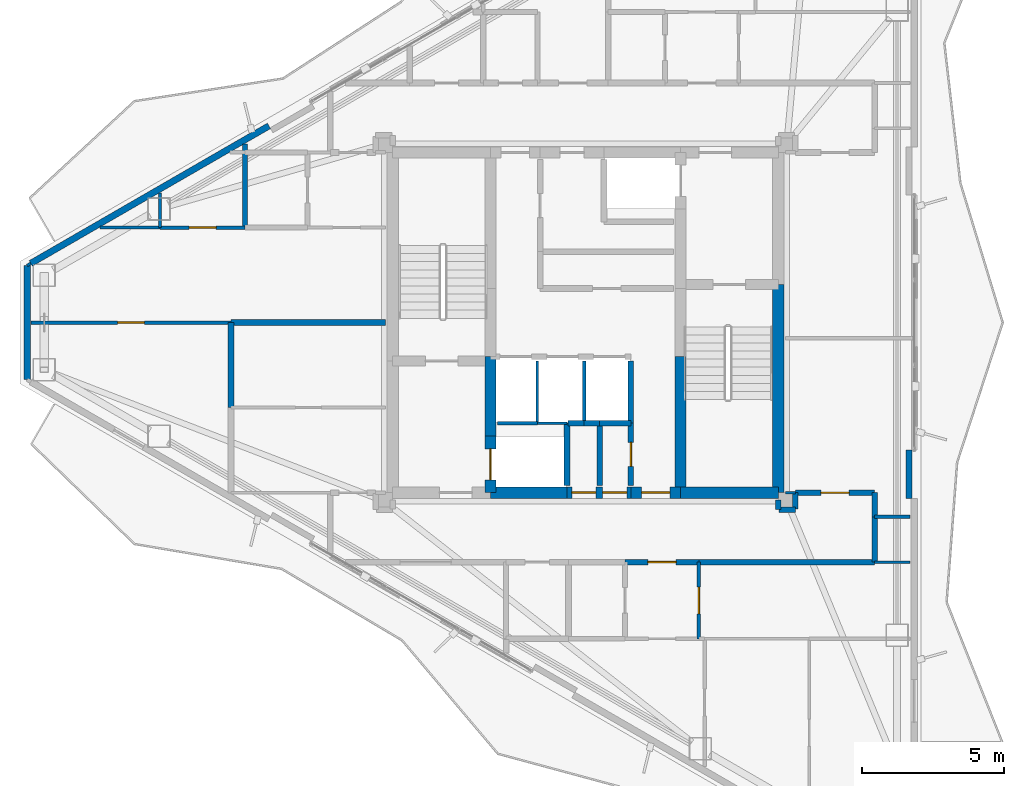
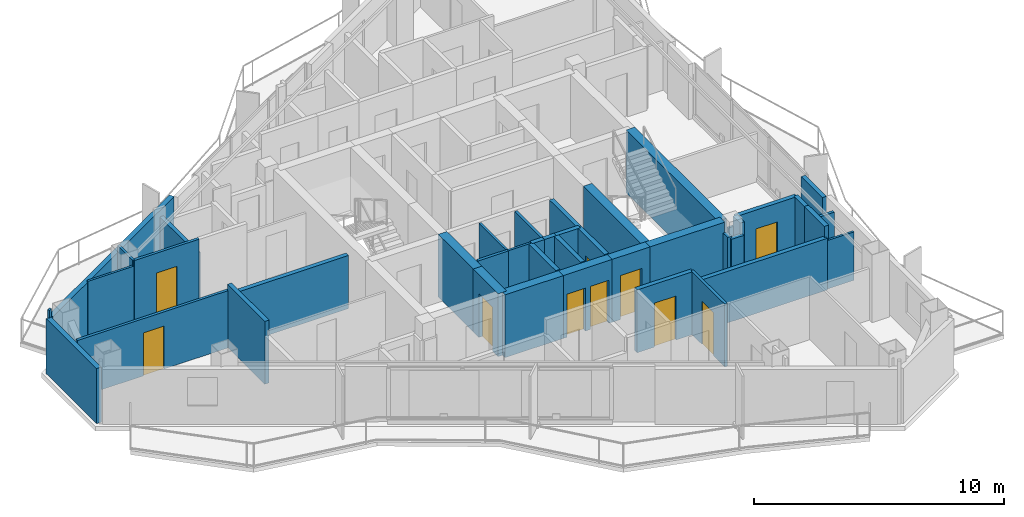
# One storey, part 17 of 22: 42 walls, 10 doors, 10 openings.
"""IFC4 building model written with IfcOpenShell, lengths in metres."""

from ifc_helpers import new_model, si_unit, direction, frame, frame_2d, origin, place, context, subcontext, project, spatial, rectangle, extrude, material, layer, layer_set, type_object, element, fill, save


model = new_model("IFC4")

# Units and contexts
model_context = context("Model", 3, precision=1e-05, world=origin(), true_north=direction((0.0, 1.0)))
body_context = subcontext(model_context, "Body", "Model", "MODEL_VIEW")
ifc_project = project(units=[si_unit("LENGTHUNIT", "METRE"), si_unit("AREAUNIT", "SQUARE_METRE"), si_unit("VOLUMEUNIT", "CUBIC_METRE"), si_unit("PLANEANGLEUNIT", "RADIAN"), si_unit("MASSUNIT", "GRAM", prefix="KILO")], contexts=[model_context])

# Site, building, storey
site_placement = place(None, origin())
site = spatial("IfcSite", under=ifc_project, at=site_placement, CompositionType="ELEMENT")
building_placement = place(site_placement, origin())
building = spatial("IfcBuilding", under=site, at=building_placement, Name="Mersakhor Tower and Convention Hall", CompositionType="ELEMENT")
storey_placement = place(building_placement, frame((0.0, 0.0, 201.89990234375)))
storey = spatial("IfcBuildingStorey", under=building, at=storey_placement, Name="L56", CompositionType="ELEMENT", Elevation=201.89990234375)

# Walls
ifc_material_1 = material(Name="Precast concrete C40/50", Category="concrete")
ifc_layer_1 = layer(ifc_material_1, 0.22509765625)
ifc_layer_set_1 = layer_set([ifc_layer_1], Name="Precast concrete C40/50")
wall_type_1 = type_object("IfcWallType", Name="WL-EXT-225", PredefinedType="SOLIDWALL", material=ifc_layer_set_1)
wall_1_placement = place(storey_placement, frame((9.3076171875, 24.73828125, 0.0), z_axis=(0.0, 0.0, 1.0), x_axis=(0.0, 1.0, 0.0)))
element("IfcWall", 1, at=wall_1_placement, inside=storey, type_object=wall_type_1, Name="L56 Chamfer Braced Spandrel Wall C3", PredefinedType="SOLIDWALL", context=body_context, shape_type="SweptSolid", body=[
    extrude(rectangle(XDim=4.0234375, YDim=0.22509765625, at=frame_2d((2.01171875, 0.0))), origin(), (0.0, 0.0, 1.0), 2.690185546875),
])
wall_2_placement = place(storey_placement, frame((9.4375, 28.836669921875, 0.0), z_axis=(0.0, 0.0, 1.0), x_axis=(0.866027133173, 0.499997004599, 0.0)))
element("IfcWall", 2, at=wall_2_placement, inside=storey, type_object=wall_type_1, Name="L56 Exterior Facade Wall F1-B1", PredefinedType="SOLIDWALL", context=body_context, shape_type="SweptSolid", body=[
    extrude(rectangle(XDim=9.69873046875, YDim=0.22509765625, at=frame_2d((4.849365234375, 0.0))), origin(), (0.0, 0.0, 1.0), 2.690185546875),
])
ifc_material_2 = material(Name="Precast concrete C40/50", Category="concrete")
ifc_layer_2 = layer(ifc_material_2, 0.199951171875)
ifc_layer_set_2 = layer_set([ifc_layer_2], Name="Precast concrete C40/50")
wall_type_2 = type_object("IfcWallType", Name="WL-PAR-200", PredefinedType="PARAPET", material=ifc_layer_set_2)
wall_3_placement = place(storey_placement, frame((40.408447265625, 22.25048828125, 0.0), z_axis=(0.0, 0.0, 1.0), x_axis=(0.0, -1.0, 0.0)))
element("IfcWall", 3, at=wall_3_placement, inside=storey, type_object=wall_type_2, Name="L56 Column Pier Cladding Wall F2-C2", PredefinedType="PARAPET", context=body_context, shape_type="SweptSolid", body=[
    extrude(rectangle(XDim=1.699951171875, YDim=0.199951171875, at=frame_2d((0.85009765625, 0.0))), origin(), (0.0, 0.0, 1.0), 2.690185546875),
])
ifc_material_3 = material(Name="Moisture-resistant acoustic drywall studwork", Category="other")
ifc_layer_3 = layer(ifc_material_3, 0.175048828125)
ifc_layer_set_3 = layer_set([ifc_layer_3], Name="Moisture-resistant acoustic drywall studwork")
wall_type_3 = type_object("IfcWallType", Name="WL-PLM-175", PredefinedType="PLUMBINGWALL", material=ifc_layer_set_3)
wall_4_placement = place(storey_placement, frame((17.0, 30.10009765625, 0.0), z_axis=(0.0, 0.0, 1.0), x_axis=(0.0, 1.0, 0.0)))
element("IfcWall", 4, at=wall_4_placement, inside=storey, type_object=wall_type_3, Name="L56 Interior Partition Wall P-078", PredefinedType="PLUMBINGWALL", context=body_context, shape_type="SweptSolid", body=[
    extrude(rectangle(XDim=2.9453125, YDim=0.175048828125, at=frame_2d((1.47265625, 0.0))), origin(), (0.0, 0.0, 1.0), 2.364990234375),
])
ifc_material_4 = material(Name="Lightweight gypsum partition", Category="other")
ifc_layer_4 = layer(ifc_material_4, 0.10009765625)
ifc_layer_set_4 = layer_set([ifc_layer_4], Name="Lightweight gypsum partition")
wall_type_4 = type_object("IfcWallType", Name="WL-PRT-100", PredefinedType="PARTITIONING", material=ifc_layer_set_4)
wall_5_placement = place(storey_placement, frame((27.300048828125, 23.199951171875, 0.0), z_axis=(0.0, 0.0, 1.0), x_axis=(1.0, 0.0, 0.0)))
element("IfcWall", 5, at=wall_5_placement, inside=storey, type_object=wall_type_4, Name="L56 Interior Partition Wall P-002", PredefinedType="PARTITIONING", context=body_context, shape_type="SweptSolid", body=[
    extrude(rectangle(XDim=1.050048828125, YDim=0.10009765625, at=frame_2d((0.52490234375, 0.0))), origin(), (0.0, 0.0, 1.0), 3.070068359375),
])
wall_6_placement = place(storey_placement, frame((27.300048828125, 25.39990234375, 0.0), z_axis=(0.0, 0.0, 1.0), x_axis=(0.0, -1.0, 0.0)))
element("IfcWall", 6, at=wall_6_placement, inside=storey, type_object=wall_type_4, Name="L56 Interior Partition Wall P-006", PredefinedType="PARTITIONING", context=body_context, shape_type="SweptSolid", body=[
    extrude(rectangle(XDim=2.199951171875, YDim=0.10009765625, at=frame_2d((1.10009765625, 0.0))), origin(), (0.0, 0.0, 1.0), 3.070068359375),
])
wall_7_placement = place(storey_placement, frame((39.199951171875, 18.300048828125, 0.0), z_axis=(0.0, 0.0, 1.0), x_axis=(1.0, 0.0, 0.0)))
element("IfcWall", 7, at=wall_7_placement, inside=storey, type_object=wall_type_4, Name="L56 Interior Partition Wall P-072", PredefinedType="PARTITIONING", context=body_context, shape_type="SweptSolid", body=[
    extrude(rectangle(XDim=1.251953125, YDim=0.10009765625, at=frame_2d((0.6259765625, 0.0))), origin(), (0.0, 0.0, 1.0), 2.364990234375),
])
wall_8_placement = place(storey_placement, frame((14.0, 30.10009765625, 0.0), z_axis=(0.0, 0.0, 1.0), x_axis=(0.0, 1.0, 0.0)))
element("IfcWall", 8, at=wall_8_placement, inside=storey, type_object=wall_type_4, Name="L56 Interior Partition Wall P-080", PredefinedType="PARTITIONING", context=body_context, shape_type="SweptSolid", body=[
    extrude(rectangle(XDim=1.213134765625, YDim=0.10009765625, at=frame_2d((0.6064453125, 0.0))), origin(), (0.0, 0.0, 1.0), 3.070068359375),
])
wall_9_placement = place(storey_placement, frame((36.39990234375, 20.75, 0.0), z_axis=(0.0, 0.0, 1.0), x_axis=(-1.0, 0.0, 0.0)))
element("IfcWall", 9, at=wall_9_placement, inside=storey, type_object=wall_type_4, Name="L56 Interior Partition Wall P-094", PredefinedType="PARTITIONING", context=body_context, shape_type="SweptSolid", body=[
    extrude(rectangle(XDim=0.349853515625, YDim=0.10009765625, at=frame_2d((0.1748046875, 0.0))), origin(), (0.0, 0.0, 1.0), 2.59521484375),
])
wall_10_placement = place(storey_placement, frame((11.873779296875, 30.10009765625, 0.0), z_axis=(0.0, 0.0, 1.0), x_axis=(1.0, 0.0, 0.0)))
element("IfcWall", 10, at=wall_10_placement, inside=storey, type_object=wall_type_4, Name="L56 Interior Partition Wall P-104", PredefinedType="PARTITIONING", context=body_context, shape_type="SweptSolid", body=[
    extrude(rectangle(XDim=2.126220703125, YDim=0.10009765625, at=frame_2d((1.06298828125, 0.0))), origin(), (0.0, 0.0, 1.0), 2.794677734375),
])
wall_11_placement = place(storey_placement, frame((9.306884765625, 28.761962890625, 0.0), z_axis=(0.0, 0.0, 1.0), x_axis=(0.866239593359, 0.499628829129, 0.0)))
element("IfcWall", 11, at=wall_11_placement, inside=storey, type_object=wall_type_4, Name="L56 Interior Partition Wall P-106", PredefinedType="PARTITIONING", context=body_context, shape_type="SweptSolid", body=[
    extrude(rectangle(XDim=0.150390625, YDim=0.10009765625, at=frame_2d((0.0751953125, 0.0))), origin(), (0.0, 0.0, 1.0), 3.070068359375),
])
ifc_material_5 = material(Name="Gypsum board acoustic partition", Category="other")
ifc_layer_5 = layer(ifc_material_5, 0.125)
ifc_layer_set_5 = layer_set([ifc_layer_5], Name="Gypsum board acoustic partition")
wall_type_5 = type_object("IfcWallType", Name="WL-PRT-125", PredefinedType="PARTITIONING", material=ifc_layer_set_5)
wall_12_placement = place(storey_placement, frame((25.89990234375, 23.199951171875, 0.0), z_axis=(0.0, 0.0, 1.0), x_axis=(1.0, 0.0, 0.0)))
element("IfcWall", 12, at=wall_12_placement, inside=storey, type_object=wall_type_5, Name="L56 Interior Partition Wall P-001", PredefinedType="PARTITIONING", context=body_context, shape_type="SweptSolid", body=[
    extrude(rectangle(XDim=1.400146484375, YDim=0.125, at=frame_2d((0.7001953125, 0.0))), origin(), (0.0, 0.0, 1.0), 3.070068359375),
])
wall_13_placement = place(storey_placement, frame((28.949951171875, 25.39990234375, 0.0), z_axis=(0.0, 0.0, 1.0), x_axis=(0.0, -1.0, 0.0)))
element("IfcWall", 13, at=wall_13_placement, inside=storey, type_object=wall_type_5, Name="L56 Interior Partition Wall P-007", PredefinedType="PARTITIONING", context=body_context, shape_type="SweptSolid", body=[
    extrude(rectangle(XDim=2.199951171875, YDim=0.125, at=frame_2d((1.10009765625, 0.0))), origin(), (0.0, 0.0, 1.0), 3.070068359375),
])

# Wall, opening, door
wall_14_placement = place(storey_placement, frame((33.0, 18.300048828125, 0.0), z_axis=(0.0, 0.0, 1.0), x_axis=(0.0, -1.0, 0.0)))
wall_14 = element("IfcWall", 14, at=wall_14_placement, inside=storey, type_object=wall_type_5, Name="L56 Interior Partition Wall P-055", PredefinedType="PARTITIONING", context=body_context, shape_type="SweptSolid", body=[
    extrude(rectangle(XDim=2.699951171875, YDim=0.125, at=frame_2d((1.35009765625, 0.0))), origin(), (0.0, 0.0, 1.0), 3.070068359375),
])
opening_1_placement = place(wall_14_placement, frame((0.875, 0.0, 0.0)))
opening_1 = element("IfcOpeningElement", 15, at=opening_1_placement, cuts=wall_14, Name="Opening RD-01", PredefinedType="OPENING", context=body_context, shape_type="SweptSolid", body=[
    extrude(rectangle(XDim=0.949951171875, YDim=2.10009765625, at=frame_2d((0.47509765625, 1.050048828125))), frame((0.0, 0.072509765625, 0.0), z_axis=(0.0, -1.0, 0.0), x_axis=(1.0, 0.0, 0.0)), (0.0, 0.0, 1.0), 0.14501953125),
])
ifc_material_6 = material(Name="Solid-core hardwood leaf in painted steel frame", Category="steel")
door_type_1 = type_object("IfcDoorType", Name="DR-INT-RM-095x210", OperationType="NOTDEFINED", PredefinedType="DOOR", material=ifc_material_6)
door_1_placement = place(opening_1_placement, origin())
door_1 = element("IfcDoor", 16, at=door_1_placement, inside=storey, type_object=door_type_1, Name="L56 L56 Flat S3 Apartment Hall to L56 Flat S3 Kitchen Door", OperationType="SINGLE_SWING_RIGHT", OverallHeight=2.10009765625, OverallWidth=0.949951171875, PredefinedType="DOOR", context=body_context, shape_type="SweptSolid", body=[
    extrude(rectangle(XDim=0.949951171875, YDim=2.10009765625, at=frame_2d((0.47509765625, 1.050048828125))), frame((0.0, 0.02490234375, 0.0), z_axis=(0.0, -1.0, 0.0), x_axis=(1.0, 0.0, 0.0)), (0.0, 0.0, 1.0), 0.050048828125),
])
fill(opening_1, door_1)

wall_15_placement = place(storey_placement, frame((17.0, 30.10009765625, 0.0), z_axis=(0.0, 0.0, 1.0), x_axis=(-1.0, 0.0, 0.0)))
wall_15 = element("IfcWall", 17, at=wall_15_placement, inside=storey, type_object=wall_type_5, Name="L56 Interior Partition Wall P-079", PredefinedType="PARTITIONING", context=body_context, shape_type="SweptSolid", body=[
    extrude(rectangle(XDim=3.0, YDim=0.125, at=frame_2d((1.5, 0.0))), origin(), (0.0, 0.0, 1.0), 3.070068359375),
])
opening_2_placement = place(wall_15_placement, frame((1.02490234375, 0.0, 0.0)))
opening_2 = element("IfcOpeningElement", 18, at=opening_2_placement, cuts=wall_15, Name="Opening RD-01", PredefinedType="OPENING", context=body_context, shape_type="SweptSolid", body=[
    extrude(rectangle(XDim=0.949951171875, YDim=2.10009765625, at=frame_2d((0.47509765625, 1.050048828125))), frame((0.0, 0.072509765625, 0.0), z_axis=(0.0, -1.0, 0.0), x_axis=(1.0, 0.0, 0.0)), (0.0, 0.0, 1.0), 0.14501953125),
])
door_2_placement = place(opening_2_placement, origin())
door_2 = element("IfcDoor", 19, at=door_2_placement, inside=storey, type_object=door_type_1, Name="L56 L56 Flat W4 Kitchen to L56 Flat W4 Living and Dining Room Door", OperationType="SINGLE_SWING_RIGHT", OverallHeight=2.10009765625, OverallWidth=0.949951171875, PredefinedType="DOOR", context=body_context, shape_type="SweptSolid", body=[
    extrude(rectangle(XDim=0.949951171875, YDim=2.10009765625, at=frame_2d((0.47509765625, 1.050048828125))), frame((0.0, 0.02490234375, 0.0), z_axis=(0.0, -1.0, 0.0), x_axis=(1.0, 0.0, 0.0)), (0.0, 0.0, 1.0), 0.050048828125),
])
fill(opening_2, door_2)

# Wall
wall_16_placement = place(storey_placement, frame((40.451904296875, 19.89990234375, 0.0), z_axis=(0.0, 0.0, 1.0), x_axis=(-1.0, 0.0, 0.0)))
element("IfcWall", 20, at=wall_16_placement, inside=storey, type_object=wall_type_5, Name="L56 Interior Partition Wall P-095", PredefinedType="PARTITIONING", context=body_context, shape_type="SweptSolid", body=[
    extrude(rectangle(XDim=1.251953125, YDim=0.125, at=frame_2d((0.6259765625, 0.0))), origin(), (0.0, 0.0, 1.0), 2.364990234375),
])

# Wall, opening, door
wall_17_placement = place(storey_placement, frame((16.5, 26.75, 0.0), z_axis=(0.0, 0.0, 1.0), x_axis=(-1.0, 0.0, 0.0)))
wall_17 = element("IfcWall", 21, at=wall_17_placement, inside=storey, type_object=wall_type_5, Name="L56 Interior Partition Wall P-105", PredefinedType="PARTITIONING", context=body_context, shape_type="SweptSolid", body=[
    extrude(rectangle(XDim=7.055908203125, YDim=0.125, at=frame_2d((3.52783203125, 0.0))), origin(), (0.0, 0.0, 1.0), 2.794677734375),
])
opening_3_placement = place(wall_17_placement, frame((3.052978515625, 0.0, 0.0)))
opening_3 = element("IfcOpeningElement", 22, at=opening_3_placement, cuts=wall_17, Name="Opening RD-01", PredefinedType="OPENING", context=body_context, shape_type="SweptSolid", body=[
    extrude(rectangle(XDim=0.949951171875, YDim=2.10009765625, at=frame_2d((0.47509765625, 1.050048828125))), frame((0.0, 0.072509765625, 0.0), z_axis=(0.0, -1.0, 0.0), x_axis=(1.0, 0.0, 0.0)), (0.0, 0.0, 1.0), 0.14501953125),
])
door_3_placement = place(opening_3_placement, origin())
door_3 = element("IfcDoor", 23, at=door_3_placement, inside=storey, type_object=door_type_1, Name="L56 L56 Flat W4 Living and Dining Room to L56 Flat W4 Master Bedroom Door", OperationType="SINGLE_SWING_RIGHT", OverallHeight=2.10009765625, OverallWidth=0.949951171875, PredefinedType="DOOR", context=body_context, shape_type="SweptSolid", body=[
    extrude(rectangle(XDim=0.949951171875, YDim=2.10009765625, at=frame_2d((0.47509765625, 1.050048828125))), frame((0.0, 0.02490234375, 0.0), z_axis=(0.0, -1.0, 0.0), x_axis=(1.0, 0.0, 0.0)), (0.0, 0.0, 1.0), 0.050048828125),
])
fill(opening_3, door_3)

# Walls
ifc_material_7 = material(Name="Acoustic concrete blockwork and gypsum board", Category="masonry")
ifc_layer_6 = layer(ifc_material_7, 0.199951171875)
ifc_layer_set_6 = layer_set([ifc_layer_6], Name="Acoustic concrete blockwork and gypsum board")
wall_type_6 = type_object("IfcWallType", Name="WL-PRT-200", PredefinedType="PARTITIONING", material=ifc_layer_set_6)
wall_18_placement = place(storey_placement, frame((28.35009765625, 23.199951171875, 0.0), z_axis=(0.0, 0.0, 1.0), x_axis=(0.0, -1.0, 0.0)))
element("IfcWall", 24, at=wall_18_placement, inside=storey, type_object=wall_type_6, Name="L56 Interior Partition Wall P-003", PredefinedType="PARTITIONING", context=body_context, shape_type="SweptSolid", body=[
    extrude(rectangle(XDim=2.199951171875, YDim=0.199951171875, at=frame_2d((1.10009765625, 0.0))), origin(), (0.0, 0.0, 1.0), 3.070068359375),
])
wall_19_placement = place(storey_placement, frame((28.949951171875, 23.199951171875, 0.0), z_axis=(0.0, 0.0, 1.0), x_axis=(-1.0, 0.0, 0.0)))
element("IfcWall", 25, at=wall_19_placement, inside=storey, type_object=wall_type_6, Name="L56 Interior Partition Wall P-008", PredefinedType="PARTITIONING", context=body_context, shape_type="SweptSolid", body=[
    extrude(rectangle(XDim=0.570068359375, YDim=0.199951171875, at=frame_2d((0.28515625, 0.0))), origin(), (0.0, 0.0, 1.0), 3.070068359375),
])
wall_20_placement = place(storey_placement, frame((30.60009765625, 25.39990234375, 0.0), z_axis=(0.0, 0.0, 1.0), x_axis=(0.0, -1.0, 0.0)))
element("IfcWall", 26, at=wall_20_placement, inside=storey, type_object=wall_type_6, Name="L56 Interior Partition Wall P-009", PredefinedType="PARTITIONING", context=body_context, shape_type="SweptSolid", body=[
    extrude(rectangle(XDim=2.199951171875, YDim=0.199951171875, at=frame_2d((1.10009765625, 0.0))), origin(), (0.0, 0.0, 1.0), 3.070068359375),
])
wall_21_placement = place(storey_placement, frame((30.60009765625, 23.199951171875, 0.0), z_axis=(0.0, 0.0, 1.0), x_axis=(-1.0, 0.0, 0.0)))
element("IfcWall", 27, at=wall_21_placement, inside=storey, type_object=wall_type_6, Name="L56 Interior Partition Wall P-010", PredefinedType="PARTITIONING", context=body_context, shape_type="SweptSolid", body=[
    extrude(rectangle(XDim=1.10009765625, YDim=0.199951171875, at=frame_2d((0.550048828125, 0.0))), origin(), (0.0, 0.0, 1.0), 3.070068359375),
])
wall_22_placement = place(storey_placement, frame((29.5, 23.199951171875, 0.0), z_axis=(0.0, 0.0, 1.0), x_axis=(-1.0, 0.0, 0.0)))
element("IfcWall", 28, at=wall_22_placement, inside=storey, type_object=wall_type_6, Name="L56 Interior Partition Wall P-011", PredefinedType="PARTITIONING", context=body_context, shape_type="SweptSolid", body=[
    extrude(rectangle(XDim=0.550048828125, YDim=0.199951171875, at=frame_2d((0.27490234375, 0.0))), origin(), (0.0, 0.0, 1.0), 3.070068359375),
])

# Wall, opening, door
wall_23_placement = place(storey_placement, frame((30.60009765625, 21.0, 0.0), z_axis=(0.0, 0.0, 1.0), x_axis=(0.0, 1.0, 0.0)))
wall_23 = element("IfcWall", 29, at=wall_23_placement, inside=storey, type_object=wall_type_6, Name="L56 Interior Partition Wall P-012", PredefinedType="PARTITIONING", context=body_context, shape_type="SweptSolid", body=[
    extrude(rectangle(XDim=2.199951171875, YDim=0.199951171875, at=frame_2d((1.10009765625, 0.0))), origin(), (0.0, 0.0, 1.0), 3.070068359375),
])
opening_4_placement = place(wall_23_placement, frame((0.675048828125, 0.0, 0.0)))
opening_4 = element("IfcOpeningElement", 30, at=opening_4_placement, cuts=wall_23, Name="Opening SVD-01", PredefinedType="OPENING", context=body_context, shape_type="SweptSolid", body=[
    extrude(rectangle(XDim=0.85009765625, YDim=2.10009765625, at=frame_2d((0.425048828125, 1.050048828125))), frame((0.0, 0.10986328125, 0.0), z_axis=(0.0, -1.0, 0.0), x_axis=(1.0, 0.0, 0.0)), (0.0, 0.0, 1.0), 0.219970703125),
])
ifc_material_8 = material(Name="Fire-rated hardwood leaf and painted steel frame", Category="steel")
door_type_2 = type_object("IfcDoorType", Name="DR-INT-SVC-085x210", OperationType="NOTDEFINED", PredefinedType="DOOR", material=ifc_material_8)
door_4_placement = place(opening_4_placement, origin())
door_4 = element("IfcDoor", 31, at=door_4_placement, inside=storey, type_object=door_type_2, Name="L56 Central Passenger Lift Lobby to Cleaner Store Room Door", OperationType="SINGLE_SWING_LEFT", OverallHeight=2.10009765625, OverallWidth=0.85009765625, PredefinedType="DOOR", context=body_context, shape_type="SweptSolid", body=[
    extrude(rectangle(XDim=0.85009765625, YDim=2.10009765625, at=frame_2d((0.425048828125, 1.050048828125))), frame((0.0, 0.02490234375, 0.0), z_axis=(0.0, -1.0, 0.0), x_axis=(1.0, 0.0, 0.0)), (0.0, 0.0, 1.0), 0.050048828125),
])
fill(opening_4, door_4)

# Walls
wall_24_placement = place(storey_placement, frame((35.800048828125, 20.5, 0.0), z_axis=(0.0, 0.0, 1.0), x_axis=(0.0, -1.0, 0.0)))
element("IfcWall", 32, at=wall_24_placement, inside=storey, type_object=wall_type_6, Name="L56 Interior Partition Wall P-038", PredefinedType="PARTITIONING", context=body_context, shape_type="SweptSolid", body=[
    extrude(rectangle(XDim=0.35009765625, YDim=0.199951171875, at=frame_2d((0.175048828125, 0.0))), origin(), (0.0, 0.0, 1.0), 2.59521484375),
])
wall_25_placement = place(storey_placement, frame((35.830078125, 20.14990234375, 0.0), z_axis=(0.0, 0.0, 1.0), x_axis=(1.0, 0.0, 0.0)))
element("IfcWall", 33, at=wall_25_placement, inside=storey, type_object=wall_type_6, Name="L56 Interior Partition Wall P-039", PredefinedType="PARTITIONING", context=body_context, shape_type="SweptSolid", body=[
    extrude(rectangle(XDim=0.56982421875, YDim=0.199951171875, at=frame_2d((0.284912109375, 0.0))), origin(), (0.0, 0.0, 1.0), 2.518310546875),
])
wall_26_placement = place(storey_placement, frame((36.39990234375, 20.179931640625, 0.0), z_axis=(0.0, 0.0, 1.0), x_axis=(0.0, 1.0, 0.0)))
element("IfcWall", 34, at=wall_26_placement, inside=storey, type_object=wall_type_6, Name="L56 Interior Partition Wall P-040", PredefinedType="PARTITIONING", context=body_context, shape_type="SweptSolid", body=[
    extrude(rectangle(XDim=0.570068359375, YDim=0.199951171875, at=frame_2d((0.28515625, 0.0))), origin(), (0.0, 0.0, 1.0), 3.070068359375),
])

# Wall, opening, door
wall_27_placement = place(storey_placement, frame((36.39990234375, 20.75, 0.0), z_axis=(0.0, 0.0, 1.0), x_axis=(1.0, 0.0, 0.0)))
wall_27 = element("IfcWall", 35, at=wall_27_placement, inside=storey, type_object=wall_type_6, Name="L56 Interior Partition Wall P-041", PredefinedType="PARTITIONING", context=body_context, shape_type="SweptSolid", body=[
    extrude(rectangle(XDim=2.800048828125, YDim=0.199951171875, at=frame_2d((1.39990234375, 0.0))), origin(), (0.0, 0.0, 1.0), 3.070068359375),
])
opening_5_placement = place(wall_27_placement, frame((0.89990234375, 0.0, 0.0)))
opening_5 = element("IfcOpeningElement", 36, at=opening_5_placement, cuts=wall_27, Name="Opening FD-01", PredefinedType="OPENING", context=body_context, shape_type="SweptSolid", body=[
    extrude(rectangle(XDim=1.0, YDim=2.14990234375, at=frame_2d((0.5, 1.074951171875))), frame((0.0, 0.10986328125, 0.0), z_axis=(0.0, -1.0, 0.0), x_axis=(1.0, 0.0, 0.0)), (0.0, 0.0, 1.0), 0.219970703125),
])
ifc_material_9 = material(Name="Fire-rated hardwood leaf and painted steel frame", Category="steel")
door_type_3 = type_object("IfcDoorType", Name="DR-INT-FLT-100x215", OperationType="NOTDEFINED", PredefinedType="DOOR", material=ifc_material_9)
door_5_placement = place(opening_5_placement, origin())
door_5 = element("IfcDoor", 37, at=door_5_placement, inside=storey, type_object=door_type_3, Name="L56 Residential South Gallery Corridor to L56 East Wing Residents Reading Lounge Door", OperationType="SINGLE_SWING_LEFT", OverallHeight=2.14990234375, OverallWidth=1.0, PredefinedType="DOOR", context=body_context, shape_type="SweptSolid", body=[
    extrude(rectangle(XDim=1.0, YDim=2.14990234375, at=frame_2d((0.5, 1.074951171875))), frame((0.0, 0.02490234375, 0.0), z_axis=(0.0, -1.0, 0.0), x_axis=(1.0, 0.0, 0.0)), (0.0, 0.0, 1.0), 0.050048828125),
])
fill(opening_5, door_5)

# Walls
wall_28_placement = place(storey_placement, frame((39.199951171875, 20.75, 0.0), z_axis=(0.0, 0.0, 1.0), x_axis=(0.0, -1.0, 0.0)))
element("IfcWall", 38, at=wall_28_placement, inside=storey, type_object=wall_type_6, Name="L56 Interior Partition Wall P-042", PredefinedType="PARTITIONING", context=body_context, shape_type="SweptSolid", body=[
    extrude(rectangle(XDim=0.85009765625, YDim=0.199951171875, at=frame_2d((0.425048828125, 0.0))), origin(), (0.0, 0.0, 1.0), 3.070068359375),
])
wall_29_placement = place(storey_placement, frame((39.199951171875, 19.89990234375, 0.0), z_axis=(0.0, 0.0, 1.0), x_axis=(0.0, -1.0, 0.0)))
element("IfcWall", 39, at=wall_29_placement, inside=storey, type_object=wall_type_6, Name="L56 Interior Partition Wall P-043", PredefinedType="PARTITIONING", context=body_context, shape_type="SweptSolid", body=[
    extrude(rectangle(XDim=1.599853515625, YDim=0.199951171875, at=frame_2d((0.7998046875, 0.0))), origin(), (0.0, 0.0, 1.0), 3.070068359375),
])
wall_30_placement = place(storey_placement, frame((39.199951171875, 18.300048828125, 0.0), z_axis=(0.0, 0.0, 1.0), x_axis=(-1.0, 0.0, 0.0)))
element("IfcWall", 40, at=wall_30_placement, inside=storey, type_object=wall_type_6, Name="L56 Interior Partition Wall P-044", PredefinedType="PARTITIONING", context=body_context, shape_type="SweptSolid", body=[
    extrude(rectangle(XDim=6.199951171875, YDim=0.199951171875, at=frame_2d((3.10009765625, 0.0))), origin(), (0.0, 0.0, 1.0), 2.518310546875),
])

# Wall, opening, door
wall_31_placement = place(storey_placement, frame((33.0, 18.300048828125, 0.0), z_axis=(0.0, 0.0, 1.0), x_axis=(-1.0, 0.0, 0.0)))
wall_31 = element("IfcWall", 41, at=wall_31_placement, inside=storey, type_object=wall_type_6, Name="L56 Interior Partition Wall P-045", PredefinedType="PARTITIONING", context=body_context, shape_type="SweptSolid", body=[
    extrude(rectangle(XDim=2.60009765625, YDim=0.199951171875, at=frame_2d((1.300048828125, 0.0))), origin(), (0.0, 0.0, 1.0), 3.070068359375),
])
opening_6_placement = place(wall_31_placement, frame((0.800048828125, 0.0, 0.0)))
opening_6 = element("IfcOpeningElement", 42, at=opening_6_placement, cuts=wall_31, Name="Opening FD-01", PredefinedType="OPENING", context=body_context, shape_type="SweptSolid", body=[
    extrude(rectangle(XDim=1.0, YDim=2.14990234375, at=frame_2d((0.5, 1.074951171875))), frame((0.0, 0.10986328125, 0.0), z_axis=(0.0, -1.0, 0.0), x_axis=(1.0, 0.0, 0.0)), (0.0, 0.0, 1.0), 0.219970703125),
])
door_6_placement = place(opening_6_placement, origin())
door_6 = element("IfcDoor", 43, at=door_6_placement, inside=storey, type_object=door_type_3, Name="L56 Apartment Entrance Door (Residential South Gallery Corridor to L56 Flat S3 Apartment Hall)", OperationType="SINGLE_SWING_LEFT", OverallHeight=2.14990234375, OverallWidth=1.0, PredefinedType="DOOR", context=body_context, shape_type="SweptSolid", body=[
    extrude(rectangle(XDim=1.0, YDim=2.14990234375, at=frame_2d((0.5, 1.074951171875))), frame((0.0, 0.02490234375, 0.0), z_axis=(0.0, -1.0, 0.0), x_axis=(1.0, 0.0, 0.0)), (0.0, 0.0, 1.0), 0.050048828125),
])
fill(opening_6, door_6)

# Walls
wall_32_placement = place(storey_placement, frame((29.5, 23.199951171875, 0.0), z_axis=(0.0, 0.0, 1.0), x_axis=(0.0, -1.0, 0.0)))
element("IfcWall", 44, at=wall_32_placement, inside=storey, type_object=wall_type_6, Name="L56 Interior Partition Wall P-083", PredefinedType="PARTITIONING", context=body_context, shape_type="SweptSolid", body=[
    extrude(rectangle(XDim=2.199951171875, YDim=0.199951171875, at=frame_2d((1.10009765625, 0.0))), origin(), (0.0, 0.0, 1.0), 3.070068359375),
])
wall_33_placement = place(storey_placement, frame((16.5, 23.75, 0.0), z_axis=(0.0, 0.0, 1.0), x_axis=(0.0, 1.0, 0.0)))
element("IfcWall", 45, at=wall_33_placement, inside=storey, type_object=wall_type_6, Name="L56 Interior Partition Wall P-089", PredefinedType="PARTITIONING", context=body_context, shape_type="SweptSolid", body=[
    extrude(rectangle(XDim=3.0, YDim=0.199951171875, at=frame_2d((1.5, 0.0))), origin(), (0.0, 0.0, 1.0), 3.070068359375),
])
wall_34_placement = place(storey_placement, frame((16.5, 26.75, 0.0), z_axis=(0.0, 0.0, 1.0), x_axis=(1.0, 0.0, 0.0)))
element("IfcWall", 46, at=wall_34_placement, inside=storey, type_object=wall_type_6, Name="L56 Interior Partition Wall P-090", PredefinedType="PARTITIONING", context=body_context, shape_type="SweptSolid", body=[
    extrude(rectangle(XDim=5.449951171875, YDim=0.199951171875, at=frame_2d((2.72509765625, 0.0))), origin(), (0.0, 0.0, 1.0), 2.59521484375),
])
ifc_material_10 = material(Name="Concrete C60/75", Category="concrete")
ifc_layer_7 = layer(ifc_material_10, 0.39990234375)
ifc_layer_set_7 = layer_set([ifc_layer_7], Name="Concrete C60/75")
wall_type_7 = type_object("IfcWallType", Name="WL-SHR-400", PredefinedType="SHEAR", material=ifc_layer_set_7)
wall_35_placement = place(storey_placement, frame((35.800048828125, 28.10009765625, 0.0), z_axis=(0.0, 0.0, 1.0), x_axis=(0.0, -1.0, 0.0)))
element("IfcWall", 47, at=wall_35_placement, inside=storey, type_object=wall_type_7, Name="L56 Core Wall CW-E2", PredefinedType="SHEAR", context=body_context, shape_type="SweptSolid", body=[
    extrude(rectangle(XDim=7.35009765625, YDim=0.39990234375, at=frame_2d((3.675048828125, 0.0))), origin(), (0.0, 0.0, 1.0), 3.070068359375),
])
wall_36_placement = place(storey_placement, frame((35.800048828125, 20.75, 0.0), z_axis=(0.0, 0.0, 1.0), x_axis=(-1.0, 0.0, 0.0)))
element("IfcWall", 48, at=wall_36_placement, inside=storey, type_object=wall_type_7, Name="L56 Core Wall CW-S1", PredefinedType="SHEAR", context=body_context, shape_type="SweptSolid", body=[
    extrude(rectangle(XDim=3.449951171875, YDim=0.39990234375, at=frame_2d((1.72509765625, 0.0))), origin(), (0.0, 0.0, 1.0), 3.070068359375),
])

# Wall, opening, door
wall_37_placement = place(storey_placement, frame((32.35009765625, 20.75, 0.0), z_axis=(0.0, 0.0, 1.0), x_axis=(-1.0, 0.0, 0.0)))
wall_37 = element("IfcWall", 49, at=wall_37_placement, inside=storey, type_object=wall_type_7, Name="L56 Core Wall CW-S2A", PredefinedType="SHEAR", context=body_context, shape_type="SweptSolid", body=[
    extrude(rectangle(XDim=1.75, YDim=0.39990234375, at=frame_2d((0.875, 0.0))), origin(), (0.0, 0.0, 1.0), 3.070068359375),
])
opening_7_placement = place(wall_37_placement, frame((0.375, 0.0, 0.0)))
opening_7 = element("IfcOpeningElement", 50, at=opening_7_placement, cuts=wall_37, Name="Opening CFD-01", PredefinedType="OPENING", context=body_context, shape_type="SweptSolid", body=[
    extrude(rectangle(XDim=1.0, YDim=2.14990234375, at=frame_2d((0.5, 1.074951171875))), frame((0.0, 0.2099609375, 0.0), z_axis=(0.0, -1.0, 0.0), x_axis=(1.0, 0.0, 0.0)), (0.0, 0.0, 1.0), 0.419921875),
])
ifc_material_11 = material(Name="Fire-rated hardwood leaf and painted steel frame", Category="steel")
door_type_4 = type_object("IfcDoorType", Name="DR-CORE-FD-100x215", OperationType="NOTDEFINED", PredefinedType="DOOR", material=ifc_material_11)
door_7_placement = place(opening_7_placement, origin())
door_7 = element("IfcDoor", 51, at=door_7_placement, inside=storey, type_object=door_type_4, Name="L56 Lift Lobby South Corridor Door", OperationType="SINGLE_SWING_RIGHT", OverallHeight=2.14990234375, OverallWidth=1.0, PredefinedType="DOOR", context=body_context, shape_type="SweptSolid", body=[
    extrude(rectangle(XDim=1.0, YDim=2.14990234375, at=frame_2d((0.5, 1.074951171875))), frame((0.0, 0.02490234375, 0.0), z_axis=(0.0, -1.0, 0.0), x_axis=(1.0, 0.0, 0.0)), (0.0, 0.0, 1.0), 0.050048828125),
])
fill(opening_7, door_7)

# Wall, openings, doors
wall_38_placement = place(storey_placement, frame((30.60009765625, 20.75, 0.0), z_axis=(0.0, 0.0, 1.0), x_axis=(-1.0, 0.0, 0.0)))
wall_38 = element("IfcWall", 52, at=wall_38_placement, inside=storey, type_object=wall_type_7, Name="L56 Core Wall CW-S2B", PredefinedType="SHEAR", context=body_context, shape_type="SweptSolid", body=[
    extrude(rectangle(XDim=2.25, YDim=0.39990234375, at=frame_2d((1.125, 0.0))), origin(), (0.0, 0.0, 1.0), 3.070068359375),
])
opening_8_placement = place(wall_38_placement, frame((1.22998046875, 0.0, 0.0)))
opening_8 = element("IfcOpeningElement", 53, at=opening_8_placement, cuts=wall_38, Name="Opening SVD-01", PredefinedType="OPENING", context=body_context, shape_type="SweptSolid", body=[
    extrude(rectangle(XDim=0.85009765625, YDim=2.10009765625, at=frame_2d((0.425048828125, 1.050048828125))), frame((0.0, 0.2099609375, 0.0), z_axis=(0.0, -1.0, 0.0), x_axis=(1.0, 0.0, 0.0)), (0.0, 0.0, 1.0), 0.419921875),
])
opening_9_placement = place(wall_38_placement, frame((0.14501953125, 0.0, 0.0)))
opening_9 = element("IfcOpeningElement", 54, at=opening_9_placement, cuts=wall_38, Name="Opening SVD-01", PredefinedType="OPENING", context=body_context, shape_type="SweptSolid", body=[
    extrude(rectangle(XDim=0.85009765625, YDim=2.10009765625, at=frame_2d((0.425048828125, 1.050048828125))), frame((0.0, 0.2099609375, 0.0), z_axis=(0.0, -1.0, 0.0), x_axis=(1.0, 0.0, 0.0)), (0.0, 0.0, 1.0), 0.419921875),
])
door_8_placement = place(opening_8_placement, origin())
door_8 = element("IfcDoor", 55, at=door_8_placement, inside=storey, type_object=door_type_2, Name="L56 Residential South Gallery Corridor to Mechanical Valve Plant Room Door", OperationType="SINGLE_SWING_LEFT", OverallHeight=2.10009765625, OverallWidth=0.85009765625, PredefinedType="DOOR", context=body_context, shape_type="SweptSolid", body=[
    extrude(rectangle(XDim=0.85009765625, YDim=2.10009765625, at=frame_2d((0.425048828125, 1.050048828125))), frame((0.0, 0.02490234375, 0.0), z_axis=(0.0, -1.0, 0.0), x_axis=(1.0, 0.0, 0.0)), (0.0, 0.0, 1.0), 0.050048828125),
])
fill(opening_8, door_8)
door_9_placement = place(opening_9_placement, origin())
door_9 = element("IfcDoor", 56, at=door_9_placement, inside=storey, type_object=door_type_2, Name="L56 Residential South Gallery Corridor to Cleaner Store Room Door", OperationType="SINGLE_SWING_RIGHT", OverallHeight=2.10009765625, OverallWidth=0.85009765625, PredefinedType="DOOR", context=body_context, shape_type="SweptSolid", body=[
    extrude(rectangle(XDim=0.85009765625, YDim=2.10009765625, at=frame_2d((0.425048828125, 1.050048828125))), frame((0.0, 0.02490234375, 0.0), z_axis=(0.0, -1.0, 0.0), x_axis=(1.0, 0.0, 0.0)), (0.0, 0.0, 1.0), 0.050048828125),
])
fill(opening_9, door_9)

# Wall
wall_39_placement = place(storey_placement, frame((28.35009765625, 20.75, 0.0), z_axis=(0.0, 0.0, 1.0), x_axis=(-1.0, 0.0, 0.0)))
element("IfcWall", 57, at=wall_39_placement, inside=storey, type_object=wall_type_7, Name="L56 Core Wall CW-S3", PredefinedType="SHEAR", context=body_context, shape_type="SweptSolid", body=[
    extrude(rectangle(XDim=2.7001953125, YDim=0.39990234375, at=frame_2d((1.35009765625, 0.0))), origin(), (0.0, 0.0, 1.0), 3.070068359375),
])

# Wall, opening, door
wall_40_placement = place(storey_placement, frame((25.64990234375, 20.75, 0.0), z_axis=(0.0, 0.0, 1.0), x_axis=(0.0, 1.0, 0.0)))
wall_40 = element("IfcWall", 58, at=wall_40_placement, inside=storey, type_object=wall_type_7, Name="L56 Core Wall CS-W-FFL", PredefinedType="SHEAR", context=body_context, shape_type="SweptSolid", body=[
    extrude(rectangle(XDim=2.0, YDim=0.39990234375, at=frame_2d((1.0, 0.0))), origin(), (0.0, 0.0, 1.0), 3.070068359375),
])
opening_10_placement = place(wall_40_placement, frame((0.449951171875, 0.0, 0.0)))
opening_10 = element("IfcOpeningElement", 59, at=opening_10_placement, cuts=wall_40, Name="Opening LD-FFL1", PredefinedType="OPENING", context=body_context, shape_type="SweptSolid", body=[
    extrude(rectangle(XDim=1.10009765625, YDim=2.14990234375, at=frame_2d((0.550048828125, 1.074951171875))), frame((0.0, 0.2099609375, 0.0), z_axis=(0.0, -1.0, 0.0), x_axis=(1.0, 0.0, 0.0)), (0.0, 0.0, 1.0), 0.419921875),
])
ifc_material_12 = material(Name="Fire-rated brushed stainless steel sliding landing door", Category="steel")
door_type_5 = type_object("IfcDoorType", Name="DR-LIFT-SLD-110x215", OperationType="NOTDEFINED", PredefinedType="DOOR", material=ifc_material_12)
door_10_placement = place(opening_10_placement, origin())
door_10 = element("IfcDoor", 60, at=door_10_placement, inside=storey, type_object=door_type_5, Name="L56 Firefighting Lift Landing Door LD-FFL1", OperationType="SLIDING_TO_LEFT", OverallHeight=2.14990234375, OverallWidth=1.10009765625, PredefinedType="DOOR", context=body_context, shape_type="SweptSolid", body=[
    extrude(rectangle(XDim=1.10009765625, YDim=2.14990234375, at=frame_2d((0.550048828125, 1.074951171875))), frame((0.0, 0.02490234375, 0.0), z_axis=(0.0, -1.0, 0.0), x_axis=(1.0, 0.0, 0.0)), (0.0, 0.0, 1.0), 0.050048828125),
])
fill(opening_10, door_10)

# Walls
wall_41_placement = place(storey_placement, frame((25.64990234375, 22.75, 0.0), z_axis=(0.0, 0.0, 1.0), x_axis=(0.0, 1.0, 0.0)))
element("IfcWall", 61, at=wall_41_placement, inside=storey, type_object=wall_type_7, Name="L56 Core Wall CS-W-MID", PredefinedType="SHEAR", context=body_context, shape_type="SweptSolid", body=[
    extrude(rectangle(XDim=2.800048828125, YDim=0.39990234375, at=frame_2d((1.39990234375, 0.0))), origin(), (0.0, 0.0, 1.0), 3.070068359375),
])
wall_42_placement = place(storey_placement, frame((32.35009765625, 20.75, 0.0), z_axis=(0.0, 0.0, 1.0), x_axis=(0.0, 1.0, 0.0)))
element("IfcWall", 62, at=wall_42_placement, inside=storey, type_object=wall_type_7, Name="L56 Core Wall CS-E-ST2", PredefinedType="SHEAR", context=body_context, shape_type="SweptSolid", body=[
    extrude(rectangle(XDim=4.800048828125, YDim=0.39990234375, at=frame_2d((2.39990234375, 0.0))), origin(), (0.0, 0.0, 1.0), 3.070068359375),
])

save(model, "model.ifc")
